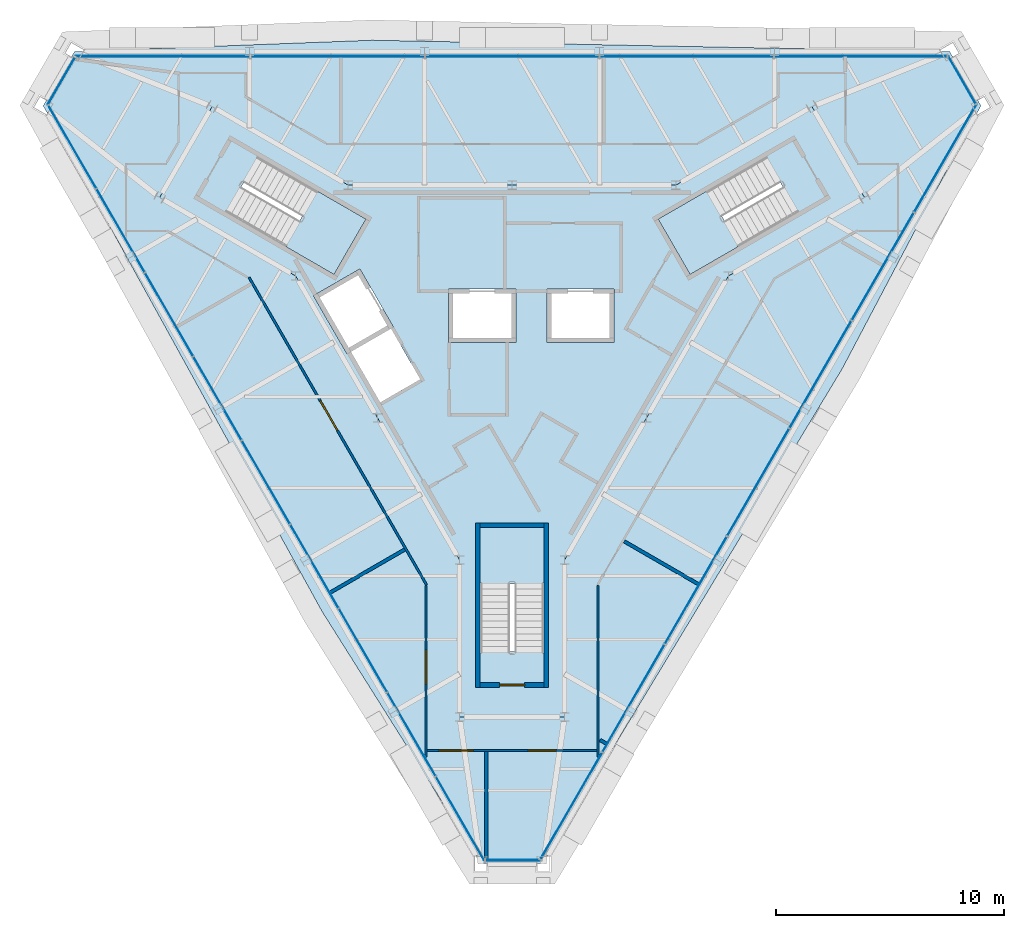
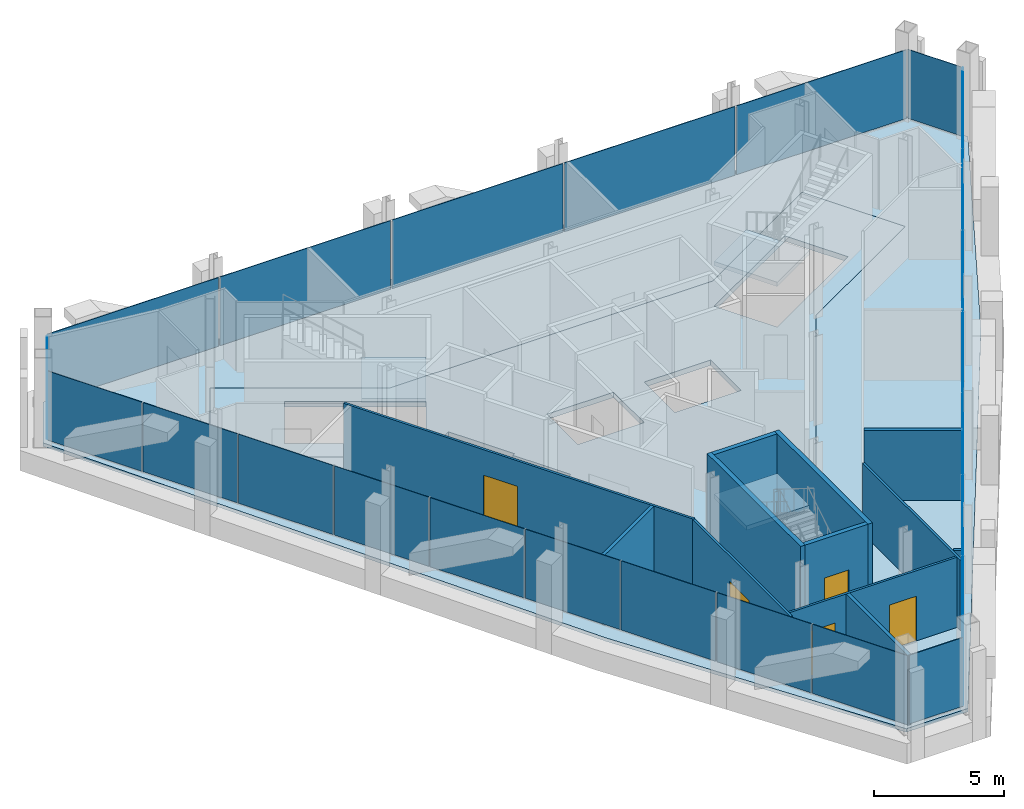
# One storey, part 8 of 13: 24 plates, 12 walls, 5 doors, 5 slabs, 5 openings, 9 elements without a shape of their own.
"""IFC4 building model written with IfcOpenShell, lengths in metres."""

from ifc_helpers import new_model, si_unit, direction, frame, frame_2d, origin, origin_2d, place, context, subcontext, project, spatial, polyline, rectangle, outline, extrude, material, layer, layer_set, type_object, element, fill, aggregate, save


model = new_model("IFC4")

# Units and contexts
model_context = context("Model", 3, precision=1e-05, world=origin(), true_north=direction((0.0, 1.0)))
body_context = subcontext(model_context, "Body", "Model", "MODEL_VIEW")
ifc_project = project(units=[si_unit("LENGTHUNIT", "METRE"), si_unit("AREAUNIT", "SQUARE_METRE"), si_unit("VOLUMEUNIT", "CUBIC_METRE"), si_unit("PLANEANGLEUNIT", "RADIAN"), si_unit("MASSUNIT", "GRAM", prefix="KILO")], contexts=[model_context])

# Site, building, storey
site_placement = place(None, origin())
site = spatial("IfcSite", under=ifc_project, at=site_placement, CompositionType="ELEMENT")
building_placement = place(site_placement, origin())
building = spatial("IfcBuilding", under=site, at=building_placement, Name="Verrane Prism Tower", CompositionType="ELEMENT")
storey_placement = place(building_placement, frame((0.0, 0.0, 321.0)))
storey = spatial("IfcBuildingStorey", under=building, at=storey_placement, Name="L81", CompositionType="ELEMENT", Elevation=321.0)

# Slabs
ifc_material_1 = material(Name="Concrete C35/45", Category="concrete")
ifc_layer_1 = layer(ifc_material_1, 0.159912109375)
ifc_layer_set_1 = layer_set([ifc_layer_1], Name="Composite floor slab")
slab_type_1 = type_object("IfcSlabType", Name="Composite floor slab", PredefinedType="FLOOR", material=ifc_layer_set_1)
slab_1_placement = place(storey_placement, frame((0.0, 0.0, -0.159912109375)))
element("IfcSlab", 1, at=slab_1_placement, inside=storey, type_object=slab_type_1, Name="Floor slab L81", PredefinedType="FLOOR", context=body_context, shape_type="SweptSolid", body=[
    extrude(outline(polyline([(14.455810546875, -1.26171875), (1.368896484375, -22.9287109375), (-1.368896484375, -22.9287109375), (-8.320556640625, -11.88818359375), (-20.54150390625, 10.27880859375), (-19.17236328125, 12.64990234375), (-6.13525390625, 13.14990234375), (19.17236328125, 12.64990234375), (20.54150390625, 10.27880859375), (14.455810546875, -1.26171875)]), holes=[polyline([(15.43994140625, 6.260009765625), (13.139892578125, 10.239990234375), (7.179931640625, 6.800048828125), (0.0, 6.800048828125), (-7.179931640625, 6.800048828125), (-13.139892578125, 10.239990234375), (-15.43994140625, 6.260009765625), (-9.47998046875, 2.820068359375), (-5.889892578125, -3.39990234375), (-2.300048828125, -9.6201171875), (-2.300048828125, -16.5), (2.300048828125, -16.5), (2.300048828125, -9.6201171875), (5.889892578125, -3.39990234375), (9.47998046875, 2.820068359375), (15.43994140625, 6.260009765625)])]), origin(), (0.0, 0.0, 1.0), 0.159912109375),
])
ifc_material_2 = material(Name="Concrete C40/50", Category="concrete")
ifc_layer_2 = layer(ifc_material_2, 0.25)
ifc_layer_set_2 = layer_set([ifc_layer_2], Name="Core floor slab 250 concrete C40/50")
slab_type_2 = type_object("IfcSlabType", Name="Core floor slab 250 concrete C40/50", PredefinedType="FLOOR", material=ifc_layer_set_2)
slab_2_placement = place(storey_placement, frame((0.0, 0.0, -0.25)))
element("IfcSlab", 2, at=slab_2_placement, inside=storey, type_object=slab_type_2, Name="Core floor L81", PredefinedType="FLOOR", context=body_context, shape_type="SweptSolid", body=[
    extrude(outline(polyline([(9.47998046875, 2.820068359375), (15.43994140625, 6.260009765625), (13.139892578125, 10.239990234375), (7.179931640625, 6.800048828125), (0.0, 6.800048828125), (-7.179931640625, 6.800048828125), (-13.139892578125, 10.239990234375), (-15.43994140625, 6.260009765625), (-9.47998046875, 2.820068359375), (-5.889892578125, -3.39990234375), (-2.300048828125, -9.6201171875), (-2.300048828125, -16.5), (2.300048828125, -16.5), (2.300048828125, -9.6201171875), (5.889892578125, -3.39990234375), (9.47998046875, 2.820068359375)]), holes=[polyline([(-1.39990234375, -8.199951171875), (1.39990234375, -8.199951171875), (1.39990234375, -13.639892578125), (-1.39990234375, -13.639892578125), (-1.39990234375, -8.199951171875)]), polyline([(0.1650390625, 2.25), (0.1650390625, -0.10009765625), (-2.784912109375, -0.10009765625), (-2.784912109375, 2.25), (0.1650390625, 2.25)]), polyline([(4.47509765625, 2.25), (4.47509765625, -0.10009765625), (1.52490234375, -0.10009765625), (1.52490234375, 2.25), (4.47509765625, 2.25)]), polyline([(-6.40087890625, 5.31201171875), (-7.801025390625, 2.887939453125), (-12.512939453125, 5.60791015625), (-11.113037109375, 8.031982421875), (-6.40087890625, 5.31201171875)]), polyline([(7.801025390625, 2.887939453125), (6.40087890625, 5.31201171875), (11.113037109375, 8.031982421875), (12.512939453125, 5.60791015625), (7.801025390625, 2.887939453125)]), polyline([(-4.02099609375, -1.7041015625), (-5.77490234375, -2.717041015625), (-7.055419921875, -0.500244140625), (-7.22900390625, -0.60009765625), (-8.7041015625, 1.955078125), (-6.66796875, 3.1298828125), (-5.193115234375, 0.574951171875), (-5.301513671875, 0.5126953125), (-4.02099609375, -1.7041015625)])]), origin(), (0.0, 0.0, 1.0), 0.25),
])

# Curtain wall, plates
ifc_material_3 = material(Name="Aluminium framed insulated glazing", Category="aluminium")
curtain_wall_type_1 = type_object("IfcCurtainWallType", Name="Curtain wall CW-C 4200 module", PredefinedType="NOTDEFINED", material=ifc_material_3)
curtain_wall_1_placement = place(storey_placement, origin())
curtain_wall_1 = element("IfcCurtainWall", 3, at=curtain_wall_1_placement, inside=storey, type_object=curtain_wall_type_1, Name="Glazed curtain wall south-west face L81", PredefinedType="NOTDEFINED")
ifc_material_4 = material(Name="Low-iron insulating glass unit", Category="glass")
ifc_layer_3 = layer(ifc_material_4, 0.02392578125)
ifc_layer_set_3 = layer_set([ifc_layer_3], Name="Glazing panel IGU 24")
plate_type_1 = type_object("IfcPlateType", Name="Glazing panel IGU 24", PredefinedType="CURTAIN_PANEL", material=ifc_layer_set_3)
plate_1_placement = place(storey_placement, frame((-19.2685546875, 8.4794921875, 0.050048828125), z_axis=(0.0, 0.0, 1.0), x_axis=(0.500000216749, -0.866025278644, 0.0)))
plate_1 = element("IfcPlate", 4, at=plate_1_placement, type_object=plate_type_1, Name="CW81.4 panel 1", PredefinedType="CURTAIN_PANEL", context=body_context, shape_type="SweptSolid", body=[
    extrude(rectangle(XDim=4.172607421875, YDim=0.02392578125, at=origin_2d()), origin(), (0.0, 0.0, 1.0), 3.24658203125),
])
plate_2_placement = place(storey_placement, frame((-17.15087890625, 4.811767578125, 0.050048828125), z_axis=(0.0, 0.0, 1.0), x_axis=(0.500000216749, -0.866025278644, 0.0)))
plate_2 = element("IfcPlate", 5, at=plate_2_placement, type_object=plate_type_1, Name="CW81.4 panel 2", PredefinedType="CURTAIN_PANEL", context=body_context, shape_type="SweptSolid", body=[
    extrude(rectangle(XDim=4.197509765625, YDim=0.02392578125, at=origin_2d()), origin(), (0.0, 0.0, 1.0), 3.24658203125),
])
plate_3_placement = place(storey_placement, frame((-15.027099609375, 1.13330078125, 0.050048828125), z_axis=(0.0, 0.0, 1.0), x_axis=(0.500000216749, -0.866025278644, 0.0)))
plate_3 = element("IfcPlate", 6, at=plate_3_placement, type_object=plate_type_1, Name="CW81.4 panel 3", PredefinedType="CURTAIN_PANEL", context=body_context, shape_type="SweptSolid", body=[
    extrude(rectangle(XDim=4.197509765625, YDim=0.02392578125, at=origin_2d()), origin(), (0.0, 0.0, 1.0), 3.24658203125),
])
plate_4_placement = place(storey_placement, frame((-12.9033203125, -2.545166015625, 0.050048828125), z_axis=(0.0, 0.0, 1.0), x_axis=(0.500000216749, -0.866025278644, 0.0)))
plate_4 = element("IfcPlate", 7, at=plate_4_placement, type_object=plate_type_1, Name="CW81.4 panel 4", PredefinedType="CURTAIN_PANEL", context=body_context, shape_type="SweptSolid", body=[
    extrude(rectangle(XDim=4.197509765625, YDim=0.02392578125, at=origin_2d()), origin(), (0.0, 0.0, 1.0), 3.24658203125),
])
plate_5_placement = place(storey_placement, frame((-10.779541015625, -6.2236328125, 0.050048828125), z_axis=(0.0, 0.0, 1.0), x_axis=(0.500000216749, -0.866025278644, 0.0)))
plate_5 = element("IfcPlate", 8, at=plate_5_placement, type_object=plate_type_1, Name="CW81.4 panel 5", PredefinedType="CURTAIN_PANEL", context=body_context, shape_type="SweptSolid", body=[
    extrude(rectangle(XDim=4.197509765625, YDim=0.02392578125, at=origin_2d()), origin(), (0.0, 0.0, 1.0), 3.24658203125),
])
plate_6_placement = place(storey_placement, frame((-8.65576171875, -9.902099609375, 0.050048828125), z_axis=(0.0, 0.0, 1.0), x_axis=(0.500000216749, -0.866025278644, 0.0)))
plate_6 = element("IfcPlate", 9, at=plate_6_placement, type_object=plate_type_1, Name="CW81.4 panel 6", PredefinedType="CURTAIN_PANEL", context=body_context, shape_type="SweptSolid", body=[
    extrude(rectangle(XDim=4.197509765625, YDim=0.02392578125, at=origin_2d()), origin(), (0.0, 0.0, 1.0), 3.24658203125),
])
plate_7_placement = place(storey_placement, frame((-6.531982421875, -13.58056640625, 0.050048828125), z_axis=(0.0, 0.0, 1.0), x_axis=(0.500000216749, -0.866025278644, 0.0)))
plate_7 = element("IfcPlate", 10, at=plate_7_placement, type_object=plate_type_1, Name="CW81.4 panel 7", PredefinedType="CURTAIN_PANEL", context=body_context, shape_type="SweptSolid", body=[
    extrude(rectangle(XDim=4.197509765625, YDim=0.02392578125, at=origin_2d()), origin(), (0.0, 0.0, 1.0), 3.24658203125),
])
plate_8_placement = place(storey_placement, frame((-4.408203125, -17.259033203125, 0.050048828125), z_axis=(0.0, 0.0, 1.0), x_axis=(0.500000216749, -0.866025278644, 0.0)))
plate_8 = element("IfcPlate", 11, at=plate_8_placement, type_object=plate_type_1, Name="CW81.4 panel 8", PredefinedType="CURTAIN_PANEL", context=body_context, shape_type="SweptSolid", body=[
    extrude(rectangle(XDim=4.197509765625, YDim=0.02392578125, at=origin_2d()), origin(), (0.0, 0.0, 1.0), 3.24658203125),
])
plate_9_placement = place(storey_placement, frame((-2.2783203125, -20.948486328125, 0.050048828125), z_axis=(0.0, 0.0, 1.0), x_axis=(0.500000216749, -0.866025278644, 0.0)))
plate_9 = element("IfcPlate", 12, at=plate_9_placement, type_object=plate_type_1, Name="CW81.4 panel 9", PredefinedType="CURTAIN_PANEL", context=body_context, shape_type="SweptSolid", body=[
    extrude(rectangle(XDim=4.22265625, YDim=0.02392578125, at=origin_2d()), origin(), (0.0, 0.0, 1.0), 3.24658203125),
])
aggregate(curtain_wall_1, [plate_1, plate_2, plate_3, plate_4, plate_5, plate_6, plate_7, plate_8, plate_9])

# Curtain wall, plate
ifc_material_5 = material(Name="Aluminium framed insulated glazing", Category="aluminium")
curtain_wall_type_2 = type_object("IfcCurtainWallType", Name="Curtain wall CW-B 5600 module", PredefinedType="NOTDEFINED", material=ifc_material_5)
curtain_wall_2_placement = place(storey_placement, origin())
curtain_wall_2 = element("IfcCurtainWall", 13, at=curtain_wall_2_placement, inside=storey, type_object=curtain_wall_type_2, Name="Glazed curtain wall north-east corner L81", PredefinedType="NOTDEFINED")
ifc_material_6 = material(Name="Low-iron insulating glass unit", Category="glass")
ifc_layer_4 = layer(ifc_material_6, 0.028076171875)
ifc_layer_set_4 = layer_set([ifc_layer_4], Name="Glazing panel IGU 28")
plate_type_2 = type_object("IfcPlateType", Name="Glazing panel IGU 28", PredefinedType="CURTAIN_PANEL", material=ifc_layer_set_4)
plate_10_placement = place(storey_placement, frame((19.710205078125, 11.414306640625, 0.06005859375), z_axis=(0.0, 0.0, 1.0), x_axis=(-0.500000941634, 0.866024860131, 0.0)))
plate_10 = element("IfcPlate", 14, at=plate_10_placement, type_object=plate_type_2, Name="CW81.1 panel 1", PredefinedType="CURTAIN_PANEL", context=body_context, shape_type="SweptSolid", body=[
    extrude(rectangle(XDim=2.38525390625, YDim=0.028076171875, at=origin_2d()), origin(), (0.0, 0.0, 1.0), 3.23681640625),
])
aggregate(curtain_wall_2, [plate_10])

# Curtain wall, plates
curtain_wall_3_placement = place(storey_placement, origin())
curtain_wall_3 = element("IfcCurtainWall", 15, at=curtain_wall_3_placement, inside=storey, type_object=curtain_wall_type_2, Name="Glazed curtain wall south-east face L81", PredefinedType="NOTDEFINED")
plate_11_placement = place(storey_placement, frame((2.595458984375, -20.399169921875, 0.06005859375), z_axis=(0.0, 0.0, 1.0), x_axis=(0.500000216749, 0.866025278644, 0.0)))
plate_11 = element("IfcPlate", 16, at=plate_11_placement, type_object=plate_type_2, Name="CW81.6 panel 1", PredefinedType="CURTAIN_PANEL", context=body_context, shape_type="SweptSolid", body=[
    extrude(rectangle(XDim=5.37109375, YDim=0.028076171875, at=origin_2d()), origin(), (0.0, 0.0, 1.0), 3.23681640625),
])
plate_12_placement = place(storey_placement, frame((5.318359375, -15.6826171875, 0.06005859375), z_axis=(0.0, 0.0, 1.0), x_axis=(0.500000216749, 0.866025278644, 0.0)))
plate_12 = element("IfcPlate", 17, at=plate_12_placement, type_object=plate_type_2, Name="CW81.6 panel 2", PredefinedType="CURTAIN_PANEL", context=body_context, shape_type="SweptSolid", body=[
    extrude(rectangle(XDim=5.401123046875, YDim=0.028076171875, at=origin_2d()), origin(), (0.0, 0.0, 1.0), 3.23681640625),
])
plate_13_placement = place(storey_placement, frame((8.049072265625, -10.953125, 0.06005859375), z_axis=(0.0, 0.0, 1.0), x_axis=(0.500000216749, 0.866025278644, 0.0)))
plate_13 = element("IfcPlate", 18, at=plate_13_placement, type_object=plate_type_2, Name="CW81.6 panel 3", PredefinedType="CURTAIN_PANEL", context=body_context, shape_type="SweptSolid", body=[
    extrude(rectangle(XDim=5.401123046875, YDim=0.028076171875, at=origin_2d()), origin(), (0.0, 0.0, 1.0), 3.23681640625),
])
plate_14_placement = place(storey_placement, frame((10.779541015625, -6.2236328125, 0.06005859375), z_axis=(0.0, 0.0, 1.0), x_axis=(0.500000216749, 0.866025278644, 0.0)))
plate_14 = element("IfcPlate", 19, at=plate_14_placement, type_object=plate_type_2, Name="CW81.6 panel 4", PredefinedType="CURTAIN_PANEL", context=body_context, shape_type="SweptSolid", body=[
    extrude(rectangle(XDim=5.401123046875, YDim=0.028076171875, at=origin_2d()), origin(), (0.0, 0.0, 1.0), 3.23681640625),
])
plate_15_placement = place(storey_placement, frame((13.51025390625, -1.494140625, 0.06005859375), z_axis=(0.0, 0.0, 1.0), x_axis=(0.500000216749, 0.866025278644, 0.0)))
plate_15 = element("IfcPlate", 20, at=plate_15_placement, type_object=plate_type_2, Name="CW81.6 panel 5", PredefinedType="CURTAIN_PANEL", context=body_context, shape_type="SweptSolid", body=[
    extrude(rectangle(XDim=5.401123046875, YDim=0.028076171875, at=origin_2d()), origin(), (0.0, 0.0, 1.0), 3.23681640625),
])
plate_16_placement = place(storey_placement, frame((16.24072265625, 3.2353515625, 0.06005859375), z_axis=(0.0, 0.0, 1.0), x_axis=(0.500000216749, 0.866025278644, 0.0)))
plate_16 = element("IfcPlate", 21, at=plate_16_placement, type_object=plate_type_2, Name="CW81.6 panel 6", PredefinedType="CURTAIN_PANEL", context=body_context, shape_type="SweptSolid", body=[
    extrude(rectangle(XDim=5.401123046875, YDim=0.028076171875, at=origin_2d()), origin(), (0.0, 0.0, 1.0), 3.23681640625),
])
plate_17_placement = place(storey_placement, frame((18.978759765625, 7.977783203125, 0.06005859375), z_axis=(0.0, 0.0, 1.0), x_axis=(0.500000216749, 0.866025278644, 0.0)))
plate_17 = element("IfcPlate", 22, at=plate_17_placement, type_object=plate_type_2, Name="CW81.6 panel 7", PredefinedType="CURTAIN_PANEL", context=body_context, shape_type="SweptSolid", body=[
    extrude(rectangle(XDim=5.43115234375, YDim=0.028076171875, at=origin_2d()), origin(), (0.0, 0.0, 1.0), 3.23681640625),
])
aggregate(curtain_wall_3, [plate_11, plate_12, plate_13, plate_14, plate_15, plate_16, plate_17])

ifc_material_7 = material(Name="Aluminium framed insulated glazing", Category="aluminium")
curtain_wall_type_3 = type_object("IfcCurtainWallType", Name="Curtain wall CW-A 8400 module", PredefinedType="NOTDEFINED", material=ifc_material_7)
curtain_wall_4_placement = place(storey_placement, origin())
curtain_wall_4 = element("IfcCurtainWall", 23, at=curtain_wall_4_placement, inside=storey, type_object=curtain_wall_type_3, Name="Glazed curtain wall north face L81", PredefinedType="NOTDEFINED")
ifc_material_8 = material(Name="Low-iron insulating glass unit", Category="glass")
ifc_layer_5 = layer(ifc_material_8, 0.031982421875)
ifc_layer_set_5 = layer_set([ifc_layer_5], Name="Glazing panel IGU 32")
plate_type_3 = type_object("IfcPlateType", Name="Glazing panel IGU 32", PredefinedType="CURTAIN_PANEL", material=ifc_layer_set_5)
plate_18_placement = place(storey_placement, frame((15.273681640625, 12.447265625, 0.06982421875), z_axis=(0.0, 0.0, 1.0), x_axis=(-1.0, 0.0, 0.0)))
plate_18 = element("IfcPlate", 24, at=plate_18_placement, type_object=plate_type_3, Name="CW81.2 panel 1", PredefinedType="CURTAIN_PANEL", context=body_context, shape_type="SweptSolid", body=[
    extrude(rectangle(XDim=7.54052734375, YDim=0.031982421875, at=origin_2d()), origin(), (0.0, 0.0, 1.0), 3.226806640625),
])
plate_19_placement = place(storey_placement, frame((7.6455078125, 12.447265625, 0.06982421875), z_axis=(0.0, 0.0, 1.0), x_axis=(-1.0, 0.0, 0.0)))
plate_19 = element("IfcPlate", 25, at=plate_19_placement, type_object=plate_type_3, Name="CW81.2 panel 2", PredefinedType="CURTAIN_PANEL", context=body_context, shape_type="SweptSolid", body=[
    extrude(rectangle(XDim=7.57568359375, YDim=0.031982421875, at=origin_2d()), origin(), (0.0, 0.0, 1.0), 3.226806640625),
])
plate_20_placement = place(storey_placement, frame((0.0, 12.447265625, 0.06982421875), z_axis=(0.0, 0.0, 1.0), x_axis=(-1.0, 0.0, 0.0)))
plate_20 = element("IfcPlate", 26, at=plate_20_placement, type_object=plate_type_3, Name="CW81.2 panel 3", PredefinedType="CURTAIN_PANEL", context=body_context, shape_type="SweptSolid", body=[
    extrude(rectangle(XDim=7.57568359375, YDim=0.031982421875, at=origin_2d()), origin(), (0.0, 0.0, 1.0), 3.226806640625),
])
plate_21_placement = place(storey_placement, frame((-7.6455078125, 12.447265625, 0.06982421875), z_axis=(0.0, 0.0, 1.0), x_axis=(-1.0, 0.0, 0.0)))
plate_21 = element("IfcPlate", 27, at=plate_21_placement, type_object=plate_type_3, Name="CW81.2 panel 4", PredefinedType="CURTAIN_PANEL", context=body_context, shape_type="SweptSolid", body=[
    extrude(rectangle(XDim=7.57568359375, YDim=0.031982421875, at=origin_2d()), origin(), (0.0, 0.0, 1.0), 3.226806640625),
])
plate_22_placement = place(storey_placement, frame((-15.30859375, 12.447265625, 0.06982421875), z_axis=(0.0, 0.0, 1.0), x_axis=(-1.0, 0.0, 0.0)))
plate_22 = element("IfcPlate", 28, at=plate_22_placement, type_object=plate_type_3, Name="CW81.2 panel 5", PredefinedType="CURTAIN_PANEL", context=body_context, shape_type="SweptSolid", body=[
    extrude(rectangle(XDim=7.610595703125, YDim=0.031982421875, at=origin_2d()), origin(), (0.0, 0.0, 1.0), 3.226806640625),
])
aggregate(curtain_wall_4, [plate_18, plate_19, plate_20, plate_21, plate_22])

# Curtain wall, plate
curtain_wall_5_placement = place(storey_placement, origin())
curtain_wall_5 = element("IfcCurtainWall", 29, at=curtain_wall_5_placement, inside=storey, type_object=curtain_wall_type_3, Name="Glazed curtain wall north-west corner L81", PredefinedType="NOTDEFINED")
plate_23_placement = place(storey_placement, frame((-19.742919921875, 11.358154296875, 0.06982421875), z_axis=(0.0, 0.0, 1.0), x_axis=(-0.500000941634, -0.866024860131, 0.0)))
plate_23 = element("IfcPlate", 30, at=plate_23_placement, type_object=plate_type_3, Name="CW81.3 panel 1", PredefinedType="CURTAIN_PANEL", context=body_context, shape_type="SweptSolid", body=[
    extrude(rectangle(XDim=2.375244140625, YDim=0.031982421875, at=origin_2d()), origin(), (0.0, 0.0, 1.0), 3.226806640625),
])
aggregate(curtain_wall_5, [plate_23])

curtain_wall_6_placement = place(storey_placement, origin())
curtain_wall_6 = element("IfcCurtainWall", 31, at=curtain_wall_6_placement, inside=storey, type_object=curtain_wall_type_3, Name="Glazed curtain wall south corner L81", PredefinedType="NOTDEFINED")
plate_24_placement = place(storey_placement, frame((0.034912109375, -22.77685546875, 0.06982421875), z_axis=(0.0, 0.0, 1.0), x_axis=(1.0, 0.0, 0.0)))
plate_24 = element("IfcPlate", 32, at=plate_24_placement, type_object=plate_type_3, Name="CW81.5 panel 1", PredefinedType="CURTAIN_PANEL", context=body_context, shape_type="SweptSolid", body=[
    extrude(rectangle(XDim=2.375244140625, YDim=0.031982421875, at=origin_2d()), origin(), (0.0, 0.0, 1.0), 3.226806640625),
])
aggregate(curtain_wall_6, [plate_24])

# Stair, slab
ifc_material_9 = material(Name="Concrete C40/50", Category="concrete")
stair_type = type_object("IfcStairType", Name="Exit stair 1300 dog-leg precast concrete C40/50", PredefinedType="HALF_TURN_STAIR", material=ifc_material_9)
stair_1_placement = place(storey_placement, origin())
stair_1 = element("IfcStair", 33, at=stair_1_placement, inside=storey, type_object=stair_type, Name="Stair 1 L81", PredefinedType="HALF_TURN_STAIR")
ifc_material_10 = material(Name="Concrete C40/50", Category="concrete")
ifc_layer_6 = layer(ifc_material_10, 0.199951171875)
ifc_layer_set_6 = layer_set([ifc_layer_6], Name="Stair landing 200 precast concrete C40/50")
slab_type_3 = type_object("IfcSlabType", Name="Stair landing 200 precast concrete C40/50", PredefinedType="LANDING", material=ifc_layer_set_6)
slab_3_placement = place(storey_placement, frame((0.0, 0.0, 1.89990234375)))
slab_3 = element("IfcSlab", 34, at=slab_3_placement, type_object=slab_type_3, Name="Stair 1 landing 1", PredefinedType="LANDING", context=body_context, shape_type="SweptSolid", body=[
    extrude(outline(polyline([(8.549072265625, 6.552490234375), (6.4013671875, 5.3125), (7.801513671875, 2.887451171875), (9.94921875, 4.127685546875), (8.549072265625, 6.552490234375)])), origin(), (0.0, 0.0, 1.0), 0.2001953125),
])
aggregate(stair_1, [slab_3])

stair_2_placement = place(storey_placement, origin())
stair_2 = element("IfcStair", 35, at=stair_2_placement, inside=storey, type_object=stair_type, Name="Stair 2 L81", PredefinedType="HALF_TURN_STAIR")
slab_4_placement = place(storey_placement, frame((0.0, 0.0, 1.89990234375)))
slab_4 = element("IfcSlab", 36, at=slab_4_placement, type_object=slab_type_3, Name="Stair 2 landing 1", PredefinedType="LANDING", context=body_context, shape_type="SweptSolid", body=[
    extrude(outline(polyline([(-9.94921875, 4.127685546875), (-7.801513671875, 2.887451171875), (-6.4013671875, 5.3125), (-8.549072265625, 6.552490234375), (-9.94921875, 4.127685546875)])), origin(), (0.0, 0.0, 1.0), 0.2001953125),
])
aggregate(stair_2, [slab_4])

stair_3_placement = place(storey_placement, origin())
stair_3 = element("IfcStair", 37, at=stair_3_placement, inside=storey, type_object=stair_type, Name="Stair 3 L81", PredefinedType="HALF_TURN_STAIR")
slab_5_placement = place(storey_placement, frame((0.0, 0.0, 1.89990234375)))
slab_5 = element("IfcSlab", 38, at=slab_5_placement, type_object=slab_type_3, Name="Stair 3 landing 1", PredefinedType="LANDING", context=body_context, shape_type="SweptSolid", body=[
    extrude(outline(polyline([(1.39990234375, -10.679931640625), (1.39990234375, -8.199951171875), (-1.39990234375, -8.199951171875), (-1.39990234375, -10.679931640625), (1.39990234375, -10.679931640625)])), origin(), (0.0, 0.0, 1.0), 0.2001953125),
])
aggregate(stair_3, [slab_5])

# Wall, opening, door
ifc_material_11 = material(Name="Concrete C40/50", Category="concrete")
ifc_layer_7 = layer(ifc_material_11, 0.199951171875)
ifc_layer_set_7 = layer_set([ifc_layer_7], Name="CW-200 stair core wall concrete C40/50 3 h")
wall_type_1 = type_object("IfcWallType", Name="CW-200 stair core wall concrete C40/50 3 h", PredefinedType="PARTITIONING", material=ifc_layer_set_7)
wall_1_placement = place(storey_placement, frame((-1.39990234375, -15.10009765625, 0.0), z_axis=(0.0, 0.0, 1.0), x_axis=(1.0, 0.0, 0.0)))
wall_1 = element("IfcWall", 39, at=wall_1_placement, inside=storey, type_object=wall_type_1, Name="Stair 3 enclosure wall", PredefinedType="PARTITIONING", context=body_context, shape_type="SweptSolid", body=[
    extrude(rectangle(XDim=2.7998046875, YDim=0.199951171875, at=frame_2d((1.39990234375, 0.0))), origin(), (0.0, 0.0, 1.0), 3.949951171875),
])
opening_1_placement = place(wall_1_placement, frame((0.85009765625, 0.0, 0.0)))
opening_1 = element("IfcOpeningElement", 40, at=opening_1_placement, cuts=wall_1, Name="Opening D81502", PredefinedType="OPENING", context=body_context, shape_type="SweptSolid", body=[
    extrude(rectangle(XDim=1.10009765625, YDim=2.10009765625, at=frame_2d((0.550048828125, 1.050048828125))), frame((0.0, 0.10986328125, 0.0), z_axis=(0.0, -1.0, 0.0), x_axis=(1.0, 0.0, 0.0)), (0.0, 0.0, 1.0), 0.219970703125),
])
ifc_material_12 = material(Name="Timber veneered door leaf", Category="wood")
door_type_1 = type_object("IfcDoorType", Name="DR-1100x2100 FD90 single leaf stair", OperationType="NOTDEFINED", PredefinedType="DOOR", material=ifc_material_12)
door_1_placement = place(opening_1_placement, origin())
door_1 = element("IfcDoor", 41, at=door_1_placement, inside=storey, type_object=door_type_1, Name="Stair 3 door", OperationType="SINGLE_SWING_LEFT", OverallHeight=2.10009765625, OverallWidth=1.10009765625, PredefinedType="DOOR", context=body_context, shape_type="SweptSolid", body=[
    extrude(rectangle(XDim=1.10009765625, YDim=2.10009765625, at=frame_2d((0.550048828125, 1.050048828125))), frame((0.0, 0.02490234375, 0.0), z_axis=(0.0, -1.0, 0.0), x_axis=(1.0, 0.0, 0.0)), (0.0, 0.0, 1.0), 0.050048828125),
])
fill(opening_1, door_1)

# Walls
for number, where, z_axis, x_axis, name in (
    (42, (1.5, -8.0, 0.0), (0.0, 0.0, 1.0), (0.0, -1.0, 0.0), "Stair 3 enclosure wall"),
    (43, (-1.5, -8.0, 0.0), (0.0, 0.0, 1.0), (0.0, -1.0, 0.0), "Stair 3 enclosure wall"),
):
    element("IfcWall", number, at=place(storey_placement, frame(where, z_axis=z_axis, x_axis=x_axis)), inside=storey, type_object=wall_type_1, Name=name, PredefinedType="PARTITIONING", context=body_context, shape_type="SweptSolid", body=[
        extrude(rectangle(XDim=7.199951171875, YDim=0.199951171875, at=frame_2d((3.60009765625, 0.0))), origin(), (0.0, 0.0, 1.0), 3.949951171875),
    ])
wall_2_placement = place(storey_placement, frame((-1.39990234375, -8.10009765625, 0.0), z_axis=(0.0, 0.0, 1.0), x_axis=(1.0, 0.0, 0.0)))
element("IfcWall", 44, at=wall_2_placement, inside=storey, type_object=wall_type_1, Name="Stair 3 enclosure wall", PredefinedType="PARTITIONING", context=body_context, shape_type="SweptSolid", body=[
    extrude(rectangle(XDim=2.7998046875, YDim=0.199951171875, at=frame_2d((1.39990234375, 0.0))), origin(), (0.0, 0.0, 1.0), 3.949951171875),
])

# Wall, opening, door
ifc_material_13 = material(Name="Gypsum board partition", Category="other")
ifc_layer_8 = layer(ifc_material_13, 0.10009765625)
ifc_layer_set_8 = layer_set([ifc_layer_8], Name="PW-100 crown corridor wall 1 h")
wall_type_2 = type_object("IfcWallType", Name="PW-100 crown corridor wall 1 h", PredefinedType="PARTITIONING", material=ifc_layer_set_8)
wall_3_placement = place(storey_placement, frame((-3.743896484375, -10.71435546875, 0.0), z_axis=(0.0, 0.0, 1.0), x_axis=(-0.500044034969, 0.86599997869, 0.0)))
wall_3 = element("IfcWall", 45, at=wall_3_placement, inside=storey, type_object=wall_type_2, Name="Corridor wall 012", PredefinedType="PARTITIONING", context=body_context, shape_type="SweptSolid", body=[
    extrude(rectangle(XDim=15.552734375, YDim=0.10009765625, at=frame_2d((7.7763671875, 0.0))), origin(), (0.0, 0.0, 1.0), 3.297119140625),
])
opening_2_placement = place(wall_3_placement, frame((7.813720703125, 0.0, 0.0)))
opening_2 = element("IfcOpeningElement", 46, at=opening_2_placement, cuts=wall_3, Name="Opening D81005", PredefinedType="OPENING", context=body_context, shape_type="SweptSolid", body=[
    extrude(rectangle(XDim=1.5, YDim=2.10009765625, at=frame_2d((0.75, 1.050048828125))), frame((0.0, 0.06005859375, 0.0), z_axis=(0.0, -1.0, 0.0), x_axis=(1.0, 0.0, 0.0)), (0.0, 0.0, 1.0), 0.1201171875),
])
ifc_material_14 = material(Name="Timber veneered door leaf", Category="wood")
door_type_2 = type_object("IfcDoorType", Name="DR-1500x2100 FD60 double leaf unit", OperationType="NOTDEFINED", PredefinedType="DOOR", material=ifc_material_14)
door_2_placement = place(opening_2_placement, origin())
door_2 = element("IfcDoor", 47, at=door_2_placement, inside=storey, type_object=door_type_2, Name="Mechanical Plant Room door", OperationType="DOUBLE_DOOR_SINGLE_SWING", OverallHeight=2.10009765625, OverallWidth=1.5, PredefinedType="DOOR", context=body_context, shape_type="SweptSolid", body=[
    extrude(rectangle(XDim=1.5, YDim=2.10009765625, at=frame_2d((0.75, 1.050048828125))), frame((0.0, 0.02490234375, 0.0), z_axis=(0.0, -1.0, 0.0), x_axis=(1.0, 0.0, 0.0)), (0.0, 0.0, 1.0), 0.050048828125),
])
fill(opening_2, door_2)

wall_4_placement = place(storey_placement, frame((-3.76904296875, -18.25341796875, 0.0), z_axis=(0.0, 0.0, 1.0), x_axis=(0.0, 1.0, 0.0)))
wall_4 = element("IfcWall", 48, at=wall_4_placement, inside=storey, type_object=wall_type_2, Name="Corridor wall 016", PredefinedType="PARTITIONING", context=body_context, shape_type="SweptSolid", body=[
    extrude(rectangle(XDim=7.512451171875, YDim=0.10009765625, at=frame_2d((3.75634765625, 0.0))), origin(), (0.0, 0.0, 1.0), 3.297119140625),
])
opening_3_placement = place(wall_4_placement, frame((3.184326171875, 0.0, 0.0)))
opening_3 = element("IfcOpeningElement", 49, at=opening_3_placement, cuts=wall_4, Name="Opening D81006", PredefinedType="OPENING", context=body_context, shape_type="SweptSolid", body=[
    extrude(rectangle(XDim=1.5, YDim=2.10009765625, at=frame_2d((0.75, 1.050048828125))), frame((0.0, 0.06005859375, 0.0), z_axis=(0.0, -1.0, 0.0), x_axis=(1.0, 0.0, 0.0)), (0.0, 0.0, 1.0), 0.1201171875),
])
door_3_placement = place(opening_3_placement, origin())
door_3 = element("IfcDoor", 50, at=door_3_placement, inside=storey, type_object=door_type_2, Name="Mechanical Plant Room door", OperationType="DOUBLE_DOOR_SINGLE_SWING", OverallHeight=2.10009765625, OverallWidth=1.5, PredefinedType="DOOR", context=body_context, shape_type="SweptSolid", body=[
    extrude(rectangle(XDim=1.5, YDim=2.10009765625, at=frame_2d((0.75, 1.050048828125))), frame((0.0, 0.02490234375, 0.0), z_axis=(0.0, -1.0, 0.0), x_axis=(1.0, 0.0, 0.0)), (0.0, 0.0, 1.0), 0.050048828125),
])
fill(opening_3, door_3)

# Wall, openings, doors
wall_5_placement = place(storey_placement, frame((3.819091796875, -17.968994140625, 0.0), z_axis=(0.0, 0.0, 1.0), x_axis=(-1.0, 0.0, 0.0)))
wall_5 = element("IfcWall", 51, at=wall_5_placement, inside=storey, type_object=wall_type_2, Name="Corridor wall 017", PredefinedType="PARTITIONING", context=body_context, shape_type="SweptSolid", body=[
    extrude(rectangle(XDim=7.63818359375, YDim=0.10009765625, at=frame_2d((3.819091796875, 0.0))), origin(), (0.0, 0.0, 1.0), 3.297119140625),
])
opening_4_placement = place(wall_5_placement, frame((1.905029296875, 0.0, 0.0)))
opening_4 = element("IfcOpeningElement", 52, at=opening_4_placement, cuts=wall_5, Name="Opening D81007", PredefinedType="OPENING", context=body_context, shape_type="SweptSolid", body=[
    extrude(rectangle(XDim=1.199951171875, YDim=2.10009765625, at=frame_2d((0.60009765625, 1.050048828125))), frame((0.0, 0.06005859375, 0.0), z_axis=(0.0, -1.0, 0.0), x_axis=(1.0, 0.0, 0.0)), (0.0, 0.0, 1.0), 0.1201171875),
])
opening_5_placement = place(wall_5_placement, frame((5.51806640625, 0.0, 0.0)))
opening_5 = element("IfcOpeningElement", 53, at=opening_5_placement, cuts=wall_5, Name="Opening D81013", PredefinedType="OPENING", context=body_context, shape_type="SweptSolid", body=[
    extrude(rectangle(XDim=1.5, YDim=2.10009765625, at=frame_2d((0.75, 1.050048828125))), frame((0.0, 0.06005859375, 0.0), z_axis=(0.0, -1.0, 0.0), x_axis=(1.0, 0.0, 0.0)), (0.0, 0.0, 1.0), 0.1201171875),
])
ifc_material_15 = material(Name="Timber veneered door leaf", Category="wood")
door_type_3 = type_object("IfcDoorType", Name="DR-1200x2100 FD60 single leaf unit", OperationType="NOTDEFINED", PredefinedType="DOOR", material=ifc_material_15)
door_4_placement = place(opening_4_placement, origin())
door_4 = element("IfcDoor", 54, at=door_4_placement, inside=storey, type_object=door_type_3, Name="Electrical Switch Room door", OperationType="SINGLE_SWING_RIGHT", OverallHeight=2.10009765625, OverallWidth=1.199951171875, PredefinedType="DOOR", context=body_context, shape_type="SweptSolid", body=[
    extrude(rectangle(XDim=1.199951171875, YDim=2.10009765625, at=frame_2d((0.60009765625, 1.050048828125))), frame((0.0, 0.02490234375, 0.0), z_axis=(0.0, -1.0, 0.0), x_axis=(1.0, 0.0, 0.0)), (0.0, 0.0, 1.0), 0.050048828125),
])
fill(opening_4, door_4)
door_5_placement = place(opening_5_placement, origin())
door_5 = element("IfcDoor", 55, at=door_5_placement, inside=storey, type_object=door_type_2, Name="Mechanical Plant Room door", OperationType="DOUBLE_DOOR_SINGLE_SWING", OverallHeight=2.10009765625, OverallWidth=1.5, PredefinedType="DOOR", context=body_context, shape_type="SweptSolid", body=[
    extrude(rectangle(XDim=1.5, YDim=2.10009765625, at=frame_2d((0.75, 1.050048828125))), frame((0.0, 0.02490234375, 0.0), z_axis=(0.0, -1.0, 0.0), x_axis=(1.0, 0.0, 0.0)), (0.0, 0.0, 1.0), 0.050048828125),
])
fill(opening_5, door_5)

# Walls
wall_6_placement = place(storey_placement, frame((3.76904296875, -18.25341796875, 0.0), z_axis=(0.0, 0.0, 1.0), x_axis=(0.0, 1.0, 0.0)))
element("IfcWall", 56, at=wall_6_placement, inside=storey, type_object=wall_type_2, Name="Corridor wall 019", PredefinedType="PARTITIONING", context=body_context, shape_type="SweptSolid", body=[
    extrude(rectangle(XDim=7.512451171875, YDim=0.10009765625, at=frame_2d((3.75634765625, 0.0))), origin(), (0.0, 0.0, 1.0), 3.297119140625),
])
ifc_material_16 = material(Name="Gypsum board partition", Category="other")
ifc_layer_9 = layer(ifc_material_16, 0.14990234375)
ifc_layer_set_9 = layer_set([ifc_layer_9], Name="PW-150 demising wall 1 h")
wall_type_3 = type_object("IfcWallType", Name="PW-150 demising wall 1 h", PredefinedType="PARTITIONING", material=ifc_layer_set_9)
wall_7_placement = place(storey_placement, frame((-7.974609375, -11.053955078125, 0.0), z_axis=(0.0, 0.0, 1.0), x_axis=(0.865998594852, 0.500046431558, 0.0)))
element("IfcWall", 57, at=wall_7_placement, inside=storey, type_object=wall_type_3, Name="Demising wall 014", PredefinedType="PARTITIONING", context=body_context, shape_type="SweptSolid", body=[
    extrude(rectangle(XDim=3.783447265625, YDim=0.14990234375, at=frame_2d((1.8916015625, 0.0))), origin(), (0.0, 0.0, 1.0), 3.297119140625),
])
wall_8_placement = place(storey_placement, frame((-1.135986328125, -22.763916015625, 0.0), z_axis=(0.0, 0.0, 1.0), x_axis=(0.0, 1.0, 0.0)))
element("IfcWall", 58, at=wall_8_placement, inside=storey, type_object=wall_type_3, Name="Demising wall 018", PredefinedType="PARTITIONING", context=body_context, shape_type="SweptSolid", body=[
    extrude(rectangle(XDim=4.744873046875, YDim=0.14990234375, at=frame_2d((2.37255859375, 0.0))), origin(), (0.0, 0.0, 1.0), 3.297119140625),
])
wall_9_placement = place(storey_placement, frame((3.8564453125, -17.50830078125, 0.0), z_axis=(0.0, 0.0, 1.0), x_axis=(0.866377197996, -0.499390178911, 0.0)))
element("IfcWall", 59, at=wall_9_placement, inside=storey, type_object=wall_type_3, Name="Demising wall 020", PredefinedType="PARTITIONING", context=body_context, shape_type="SweptSolid", body=[
    extrude(rectangle(XDim=0.33935546875, YDim=0.14990234375, at=frame_2d((0.169677734375, 0.0))), origin(), (0.0, 0.0, 1.0), 3.297119140625),
])
wall_10_placement = place(storey_placement, frame((4.91064453125, -8.803466796875, 0.0), z_axis=(0.0, 0.0, 1.0), x_axis=(0.865975758382, -0.500085978503, 0.0)))
element("IfcWall", 60, at=wall_10_placement, inside=storey, type_object=wall_type_3, Name="Demising wall 023", PredefinedType="PARTITIONING", context=body_context, shape_type="SweptSolid", body=[
    extrude(rectangle(XDim=3.778564453125, YDim=0.14990234375, at=frame_2d((1.88916015625, 0.0))), origin(), (0.0, 0.0, 1.0), 3.297119140625),
])

save(model, "model.ifc")
